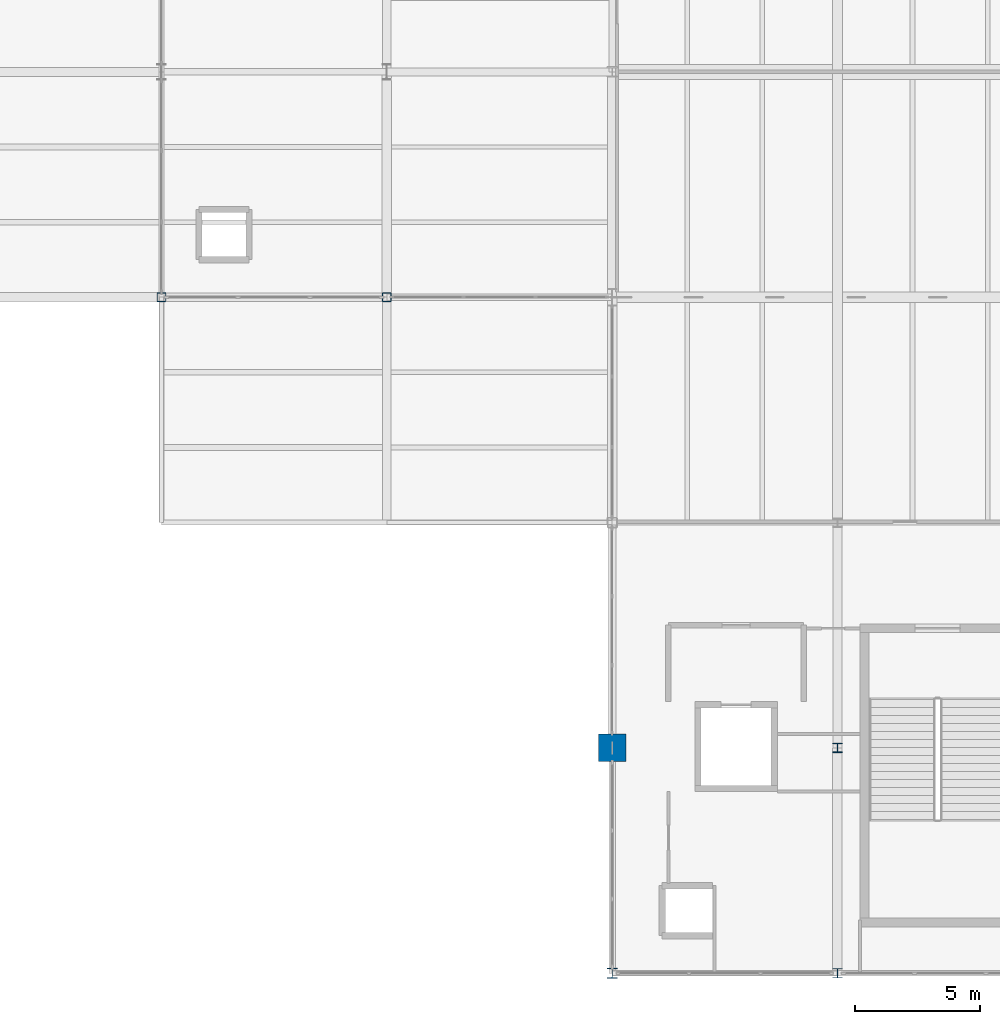
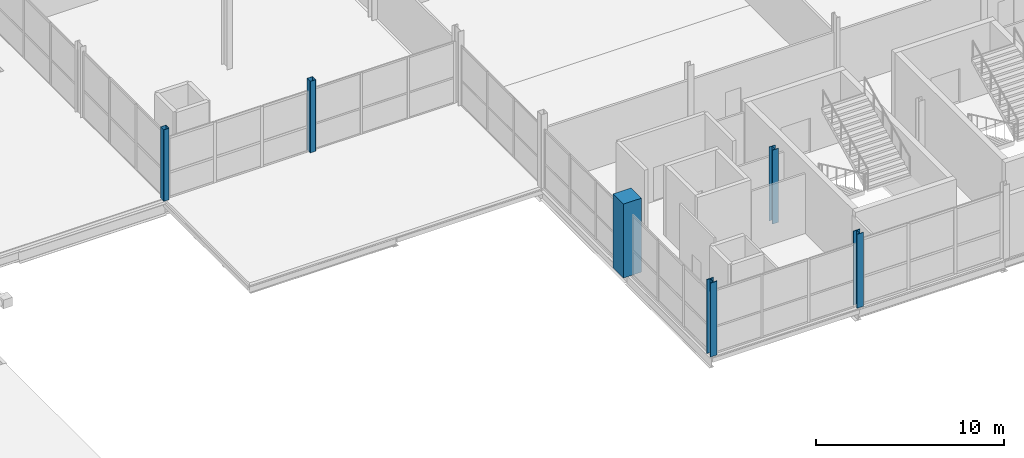
# One storey, part 1 of 69: 6 columns.
"""IFC4 building model written with IfcOpenShell, lengths in metres."""

import ifcopenshell
import ifcopenshell.guid

model = None  # the IFC model being written
_history = None  # IfcOwnerHistory: only IFC2X3 demands one
_inside = {}  # id of a spatial element -> (the spatial element, [elements in it])
_under = {}  # id of a project, library or spatial element -> (it, [spatial elements below it])
_declared = {}  # id of a project -> (the project, [libraries it declares])
_typed = {}  # id of a type object -> (the type object, [elements of that type])
_made_of = {}  # id of a material, layer set ... -> (it, [elements and type objects made of it])


def new_model(schema):
    """Start an empty IFC model of exactly this schema.

    Asked for "IFC4X3", IfcOpenShell would pick the latest addendum, in which some entities
    have other attributes; the version numbers below select the first issue.
    IFC2X3 requires an IfcOwnerHistory on every rooted entity: one is made here for all.
    """
    global model, _history
    if schema == "IFC4X3":
        model = ifcopenshell.file(schema_version=(4, 3, 0, 0))
    else:
        model = ifcopenshell.file(schema=schema)
    _inside.clear()
    _under.clear()
    _declared.clear()
    _typed.clear()
    _made_of.clear()
    _history = None
    if model.schema == "IFC2X3":
        org = make("IfcOrganization", Name="unknown")
        user = make(
            "IfcPersonAndOrganization",
            ThePerson=make("IfcPerson", FamilyName="unknown"),
            TheOrganization=org,
        )
        app = make(
            "IfcApplication",
            ApplicationDeveloper=org,
            Version="unknown",
            ApplicationFullName="unknown",
            ApplicationIdentifier="unknown",
        )
        _history = make(
            "IfcOwnerHistory",
            OwningUser=user,
            OwningApplication=app,
            ChangeAction="ADDED",
            CreationDate=0,
        )
    return model


def make(cls, **values):
    """One entity of the class cls with the attributes given. An attribute that is None is left unset."""
    return model.create_entity(
        cls, **{name: value for name, value in values.items() if value is not None}
    )


def rooted(cls, **values):
    """An entity with a GlobalId (a new one), such as an element, a storey or a relation."""
    return make(cls, GlobalId=ifcopenshell.guid.new(), OwnerHistory=_history, **values)


def si_unit(unit_type, name, prefix=None):
    """IfcSIUnit, for example si_unit("LENGTHUNIT", "METRE", prefix="MILLI")."""
    return make("IfcSIUnit", UnitType=unit_type, Prefix=prefix, Name=name)


def assignment(units):
    """IfcUnitAssignment: the units of a project."""
    return None if units is None else make("IfcUnitAssignment", Units=units)


def point(xyz):
    """IfcCartesianPoint."""
    return None if xyz is None else make("IfcCartesianPoint", Coordinates=xyz)


def direction(xyz):
    """IfcDirection."""
    return None if xyz is None else make("IfcDirection", DirectionRatios=xyz)


def frame(location, z_axis=None, x_axis=None):
    """IfcAxis2Placement3D, a coordinate frame: its origin and axes. An axis left out is left unset."""
    return make(
        "IfcAxis2Placement3D",
        Location=point(location),
        Axis=direction(z_axis),
        RefDirection=direction(x_axis),
    )


def frame_2d(location, x_axis=None):
    """IfcAxis2Placement2D, a coordinate frame in the plane: its origin and x axis."""
    return make(
        "IfcAxis2Placement2D", Location=point(location), RefDirection=direction(x_axis)
    )


def origin():
    """The frame at (0, 0, 0) with its axes left unset."""
    return frame((0.0, 0.0, 0.0))


def origin_2d():
    """The frame at (0, 0) in the plane with its x axis left unset."""
    return frame_2d((0.0, 0.0))


def place(relative_to, where):
    """IfcLocalPlacement: puts the frame where relative to a parent placement (None: the world)."""
    return make(
        "IfcLocalPlacement", PlacementRelTo=relative_to, RelativePlacement=where
    )


def context(
    kind, dimensions, precision=None, world=None, true_north=None, identifier=None
):
    """IfcGeometricRepresentationContext, for example the 3D "Model" context."""
    return make(
        "IfcGeometricRepresentationContext",
        ContextIdentifier=identifier,
        ContextType=kind,
        CoordinateSpaceDimension=dimensions,
        Precision=precision,
        WorldCoordinateSystem=world,
        TrueNorth=true_north,
    )


def subcontext(parent, identifier, kind, view, scale=None):
    """IfcGeometricRepresentationSubContext, for example "Body" below "Model"."""
    return make(
        "IfcGeometricRepresentationSubContext",
        ContextIdentifier=identifier,
        ContextType=kind,
        ParentContext=parent,
        TargetScale=scale,
        TargetView=view,
    )


def project(units=None, contexts=None):
    """IfcProject with its units and contexts."""
    return rooted(
        "IfcProject",
        Name="project",
        RepresentationContexts=contexts,
        UnitsInContext=assignment(units),
    )


def spatial(cls, under=None, at=None, **own):
    """A site, building, storey or space (cls), placed at a placement, below another one or the project."""
    s = rooted(cls, ObjectPlacement=at, **own)
    if under is not None:
        _under.setdefault(under.id(), (under, []))[1].append(s)
    return s


def profile(cls, at=None, kind="AREA", **sizes):
    """A parametric profile (cls). Its sizes go by their IFC names, for example OverallWidth=200.0."""
    return make(cls, ProfileType=kind, Position=at, **sizes)


def rectangle(**sizes):
    """IfcRectangleProfileDef."""
    return profile("IfcRectangleProfileDef", **sizes)


def hollow_rectangle(**sizes):
    """IfcRectangleHollowProfileDef."""
    return profile("IfcRectangleHollowProfileDef", **sizes)


def i_section(**sizes):
    """IfcIShapeProfileDef."""
    return profile("IfcIShapeProfileDef", **sizes)


def extrude(swept, where, along, depth):
    """IfcExtrudedAreaSolid: the profile swept, set in the frame where, extruded along a direction by depth."""
    return make(
        "IfcExtrudedAreaSolid",
        SweptArea=swept,
        Position=where,
        ExtrudedDirection=direction(along),
        Depth=depth,
    )


def shape(context_of_items, identifier, shape_type, items):
    """IfcShapeRepresentation: the items that make up one representation, for example the "Body"."""
    return make(
        "IfcShapeRepresentation",
        ContextOfItems=context_of_items,
        RepresentationIdentifier=identifier,
        RepresentationType=shape_type,
        Items=items,
    )


def material(Name=None, Category=None):
    """IfcMaterial."""
    return make("IfcMaterial", Name=Name, Category=Category)


def material_profile(
    of_material, cross_section, Name=None, Category=None, Priority=None
):
    """IfcMaterialProfile: a cross section and its material."""
    return make(
        "IfcMaterialProfile",
        Name=Name,
        Material=of_material,
        Profile=cross_section,
        Priority=Priority,
        Category=Category,
    )


def profile_set(profiles, Name=None, composite=None):
    """IfcMaterialProfileSet."""
    return make(
        "IfcMaterialProfileSet",
        Name=Name,
        MaterialProfiles=profiles,
        CompositeProfile=composite,
    )


def made_of(thing, what):
    """Note that an element or type object is made of a material, layer set ...; save() writes the relation."""
    if what is not None:
        _made_of.setdefault(what.id(), (what, []))[1].append(thing)
    return thing


def type_object(cls, material=None, **own):
    """A type object (cls), such as IfcWallType, which elements share."""
    return made_of(rooted(cls, **own), material)


def element(
    cls,
    number,
    at=None,
    inside=None,
    cuts=None,
    type_object=None,
    material=None,
    context=None,
    identifier="Body",
    shape_type=None,
    held_by="IfcProductDefinitionShape",
    body=None,
    shapes=None,
    **own,
):
    """One element of the class cls, such as IfcWall. Its Tag is "e" and its number.

    at: its placement. inside: the storey or other place that contains it. cuts: it is an
    opening in that element (IfcRelVoidsElement). A single representation is given by context,
    identifier, shape_type and body (its items); several are given by shapes. held_by: the class
    of the entity that holds the representations. save() writes the other relations.
    """
    e = rooted(cls, Tag="e%d" % number, ObjectPlacement=at, **own)
    if body is not None:
        shapes = [shape(context, identifier, shape_type, body)]
    if shapes is not None:
        e.Representation = make(held_by, Representations=shapes)
    if inside is not None:
        _inside.setdefault(inside.id(), (inside, []))[1].append(e)
    if cuts is not None:
        rooted(
            "IfcRelVoidsElement", RelatingBuildingElement=cuts, RelatedOpeningElement=e
        )
    if type_object is not None:
        _typed.setdefault(type_object.id(), (type_object, []))[1].append(e)
    return made_of(e, material)


def aggregate(whole, parts):
    """IfcRelAggregates: a whole, such as a stair, and the parts it consists of."""
    return rooted("IfcRelAggregates", RelatingObject=whole, RelatedObjects=parts)


def save(model, path):
    """Write the relations noted so far, then the file.

    IfcRelAggregates (storeys below a building ...), IfcRelContainedInSpatialStructure (elements
    in a storey), IfcRelDefinesByType, IfcRelAssociatesMaterial and IfcRelDeclares: one each for
    every whole, place, type object, material and project.
    """
    for whole, parts in _under.values():
        aggregate(whole, parts)
    for where, things in _inside.values():
        rooted(
            "IfcRelContainedInSpatialStructure",
            RelatedElements=things,
            RelatingStructure=where,
        )
    for kind, things in _typed.values():
        rooted("IfcRelDefinesByType", RelatedObjects=things, RelatingType=kind)
    for what, things in _made_of.values():
        rooted("IfcRelAssociatesMaterial", RelatedObjects=things, RelatingMaterial=what)
    for by, libraries in _declared.values():
        rooted("IfcRelDeclares", RelatingContext=by, RelatedDefinitions=libraries)
    model.write(path)


model = new_model("IFC4")

# Units and contexts
model_context = context("Model", 3, precision=1e-05, world=origin(), true_north=direction((0.0, 1.0)))
body_context = subcontext(model_context, "Body", "Model", "MODEL_VIEW")
ifc_project = project(units=[si_unit("LENGTHUNIT", "METRE"), si_unit("AREAUNIT", "SQUARE_METRE"), si_unit("VOLUMEUNIT", "CUBIC_METRE"), si_unit("PLANEANGLEUNIT", "RADIAN"), si_unit("MASSUNIT", "GRAM", prefix="KILO")], contexts=[model_context])

# Site, building, storey
site_placement = place(None, origin())
site = spatial("IfcSite", under=ifc_project, at=site_placement, CompositionType="ELEMENT")
building_placement = place(site_placement, origin())
building = spatial("IfcBuilding", under=site, at=building_placement, Name="Qamarlyn Nura Convention Centre", CompositionType="ELEMENT")
storey_placement = place(building_placement, frame((0.0, 0.0, 15.60009765625)))
storey = spatial("IfcBuildingStorey", under=building, at=storey_placement, Name="L03", CompositionType="ELEMENT", Elevation=15.60009765625)

# Columns
ifc_material_1 = material(Name="Steel ASTM A500 Grade C", Category="steel")
ifc_material_profile_1 = material_profile(ifc_material_1, hollow_rectangle(XDim=0.35009765625, YDim=0.35009765625, WallThickness=0.012451171875, InnerFilletRadius=0.012451171875, OuterFilletRadius=0.02490234375, at=origin_2d()), Name="HSS350X350X12.5")
ifc_profile_set_1 = profile_set([ifc_material_profile_1], Name="Steel ASTM A500 Grade C")
column_type_1 = type_object("IfcColumnType", Name="COL-HSS-2", PredefinedType="COLUMN", material=ifc_profile_set_1)
for number, where, z_axis, x_axis, name in (
    (1, (135.0, 27.0, 0.0), (0.0, 0.0, 1.0), (1.0, 0.0, 0.0), "L03 column 11/D"),
    (2, (144.0, 27.0, 0.0), (0.0, 0.0, 1.0), (1.0, 0.0, 0.0), "L03 column 12/D"),
):
    element("IfcColumn", number, at=place(storey_placement, frame(where, z_axis=z_axis, x_axis=x_axis)), inside=storey, type_object=column_type_1, Name=name, PredefinedType="COLUMN", context=body_context, shape_type="SweptSolid", body=[
        extrude(hollow_rectangle(XDim=0.35009765625, YDim=0.35009765625, WallThickness=0.012451171875, InnerFilletRadius=0.012451171875, OuterFilletRadius=0.02490234375, at=origin_2d()), origin(), (0.0, 0.0, 1.0), 4.639892578125),
    ])
ifc_material_2 = material(Name="Steel ASTM A992", Category="steel")
ifc_material_profile_2 = material_profile(ifc_material_2, i_section(OverallWidth=0.408935546875, OverallDepth=0.425048828125, WebThickness=0.030517578125, FlangeThickness=0.049072265625, FilletRadius=0.02001953125, at=origin_2d()), Name="W360X421")
ifc_profile_set_2 = profile_set([ifc_material_profile_2], Name="Steel ASTM A992")
column_type_2 = type_object("IfcColumnType", Name="COL-MEGA-1", PredefinedType="COLUMN", material=ifc_profile_set_2)
column_1_placement = place(storey_placement, frame((153.0, 0.0, 0.0), z_axis=(0.0, 0.0, 1.0), x_axis=(1.0, 0.0, 0.0)))
element("IfcColumn", 3, at=column_1_placement, inside=storey, type_object=column_type_2, Name="L03 column 13/A", PredefinedType="COLUMN", context=body_context, shape_type="SweptSolid", body=[
    extrude(i_section(OverallWidth=0.408935546875, OverallDepth=0.425048828125, WebThickness=0.030517578125, FlangeThickness=0.049072265625, FilletRadius=0.02001953125, at=origin_2d()), origin(), (0.0, 0.0, 1.0), 4.7998046875),
])
ifc_material_3 = material(Name="Concrete C50/60", Category="concrete")
ifc_material_profile_3 = material_profile(ifc_material_3, rectangle(XDim=1.10009765625, YDim=1.10009765625, at=origin_2d()), Name="RC 1100x1100")
ifc_profile_set_3 = profile_set([ifc_material_profile_3], Name="Concrete C50/60")
column_type_3 = type_object("IfcColumnType", Name="COL-MEGA-2", PredefinedType="COLUMN", material=ifc_profile_set_3)
column_2_placement = place(storey_placement, frame((153.0, 9.0, 0.0), z_axis=(0.0, 0.0, 1.0), x_axis=(1.0, 0.0, 0.0)))
element("IfcColumn", 4, at=column_2_placement, inside=storey, type_object=column_type_3, Name="L03 column 13/B", PredefinedType="COLUMN", context=body_context, shape_type="SweptSolid", body=[
    extrude(rectangle(XDim=1.10009765625, YDim=1.10009765625, at=origin_2d()), origin(), (0.0, 0.0, 1.0), 4.7998046875),
])
ifc_material_profile_4 = material_profile(ifc_material_2, i_section(OverallWidth=0.39892578125, OverallDepth=0.39306640625, WebThickness=0.022705078125, FlangeThickness=0.03662109375, FilletRadius=0.01806640625, at=origin_2d()), Name="W360X287")
ifc_profile_set_4 = profile_set([ifc_material_profile_4], Name="Steel ASTM A992")
column_type_4 = type_object("IfcColumnType", Name="COL-WING-1", PredefinedType="COLUMN", material=ifc_profile_set_4)
column_3_placement = place(storey_placement, frame((162.0, 0.0, 0.0), z_axis=(0.0, 0.0, 1.0), x_axis=(1.0, 0.0, 0.0)))
element("IfcColumn", 5, at=column_3_placement, inside=storey, type_object=column_type_4, Name="L03 column 14/A", PredefinedType="COLUMN", context=body_context, shape_type="SweptSolid", body=[
    extrude(i_section(OverallWidth=0.39892578125, OverallDepth=0.39306640625, WebThickness=0.022705078125, FlangeThickness=0.03662109375, FilletRadius=0.01806640625, at=origin_2d()), origin(), (0.0, 0.0, 1.0), 4.7998046875),
])
ifc_material_profile_5 = material_profile(ifc_material_2, i_section(OverallWidth=0.3740234375, OverallDepth=0.3720703125, WebThickness=0.016357421875, FlangeThickness=0.026123046875, FilletRadius=0.01611328125, at=origin_2d()), Name="W360X196")
ifc_profile_set_5 = profile_set([ifc_material_profile_5], Name="Steel ASTM A992")
column_type_5 = type_object("IfcColumnType", Name="COL-WING-2", PredefinedType="COLUMN", material=ifc_profile_set_5)
column_4_placement = place(storey_placement, frame((162.0, 9.0, 0.0), z_axis=(0.0, 0.0, 1.0), x_axis=(1.0, 0.0, 0.0)))
element("IfcColumn", 6, at=column_4_placement, inside=storey, type_object=column_type_5, Name="L03 column 14/B", PredefinedType="COLUMN", context=body_context, shape_type="SweptSolid", body=[
    extrude(i_section(OverallWidth=0.3740234375, OverallDepth=0.3720703125, WebThickness=0.016357421875, FlangeThickness=0.026123046875, FilletRadius=0.01611328125, at=origin_2d()), origin(), (0.0, 0.0, 1.0), 4.7998046875),
])

save(model, "model.ifc")
